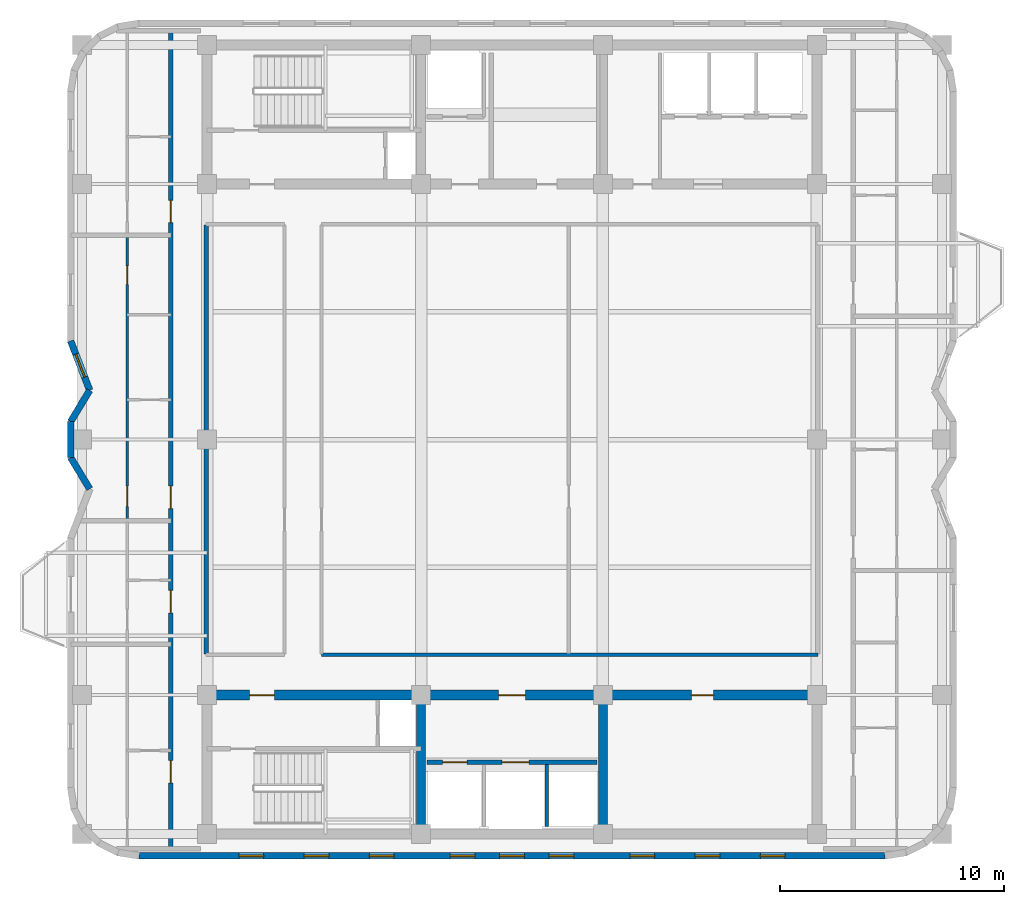
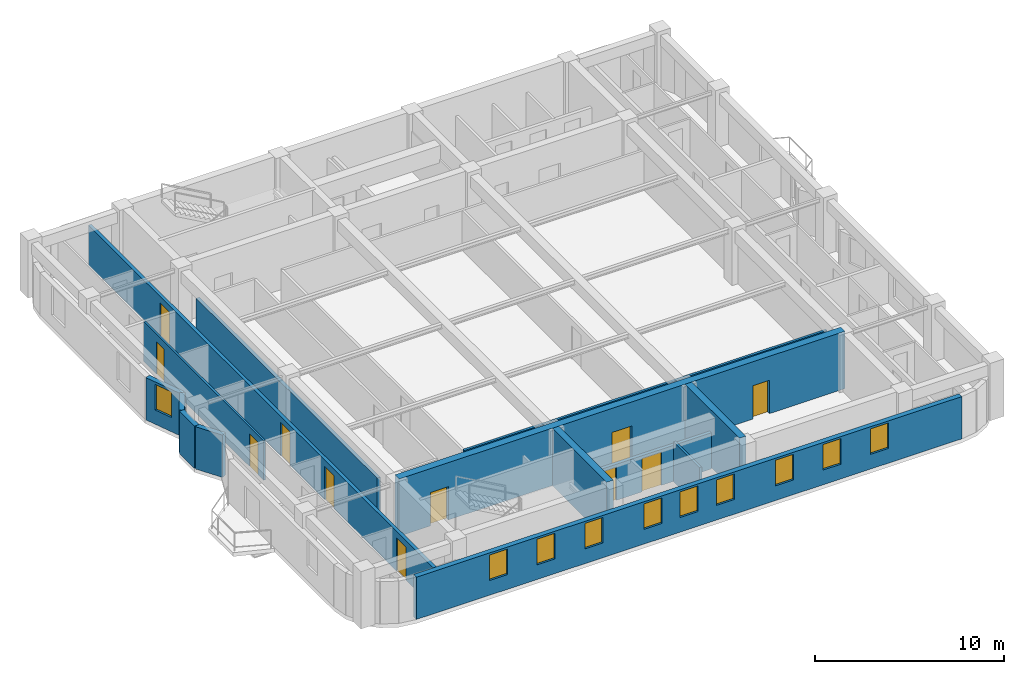
# One storey, part 3 of 8: 14 walls, 11 doors, 10 windows, 21 openings.
"""IFC4 building model written with IfcOpenShell, lengths in metres."""

import ifcopenshell
import ifcopenshell.guid

model = None  # the IFC model being written
_history = None  # IfcOwnerHistory: only IFC2X3 demands one
_inside = {}  # id of a spatial element -> (the spatial element, [elements in it])
_under = {}  # id of a project, library or spatial element -> (it, [spatial elements below it])
_declared = {}  # id of a project -> (the project, [libraries it declares])
_typed = {}  # id of a type object -> (the type object, [elements of that type])
_made_of = {}  # id of a material, layer set ... -> (it, [elements and type objects made of it])


def new_model(schema):
    """Start an empty IFC model of exactly this schema.

    Asked for "IFC4X3", IfcOpenShell would pick the latest addendum, in which some entities
    have other attributes; the version numbers below select the first issue.
    IFC2X3 requires an IfcOwnerHistory on every rooted entity: one is made here for all.
    """
    global model, _history
    if schema == "IFC4X3":
        model = ifcopenshell.file(schema_version=(4, 3, 0, 0))
    else:
        model = ifcopenshell.file(schema=schema)
    _inside.clear()
    _under.clear()
    _declared.clear()
    _typed.clear()
    _made_of.clear()
    _history = None
    if model.schema == "IFC2X3":
        org = make("IfcOrganization", Name="unknown")
        user = make(
            "IfcPersonAndOrganization",
            ThePerson=make("IfcPerson", FamilyName="unknown"),
            TheOrganization=org,
        )
        app = make(
            "IfcApplication",
            ApplicationDeveloper=org,
            Version="unknown",
            ApplicationFullName="unknown",
            ApplicationIdentifier="unknown",
        )
        _history = make(
            "IfcOwnerHistory",
            OwningUser=user,
            OwningApplication=app,
            ChangeAction="ADDED",
            CreationDate=0,
        )
    return model


def make(cls, **values):
    """One entity of the class cls with the attributes given. An attribute that is None is left unset."""
    return model.create_entity(
        cls, **{name: value for name, value in values.items() if value is not None}
    )


def rooted(cls, **values):
    """An entity with a GlobalId (a new one), such as an element, a storey or a relation."""
    return make(cls, GlobalId=ifcopenshell.guid.new(), OwnerHistory=_history, **values)


def si_unit(unit_type, name, prefix=None):
    """IfcSIUnit, for example si_unit("LENGTHUNIT", "METRE", prefix="MILLI")."""
    return make("IfcSIUnit", UnitType=unit_type, Prefix=prefix, Name=name)


def assignment(units):
    """IfcUnitAssignment: the units of a project."""
    return None if units is None else make("IfcUnitAssignment", Units=units)


def point(xyz):
    """IfcCartesianPoint."""
    return None if xyz is None else make("IfcCartesianPoint", Coordinates=xyz)


def direction(xyz):
    """IfcDirection."""
    return None if xyz is None else make("IfcDirection", DirectionRatios=xyz)


def frame(location, z_axis=None, x_axis=None):
    """IfcAxis2Placement3D, a coordinate frame: its origin and axes. An axis left out is left unset."""
    return make(
        "IfcAxis2Placement3D",
        Location=point(location),
        Axis=direction(z_axis),
        RefDirection=direction(x_axis),
    )


def frame_2d(location, x_axis=None):
    """IfcAxis2Placement2D, a coordinate frame in the plane: its origin and x axis."""
    return make(
        "IfcAxis2Placement2D", Location=point(location), RefDirection=direction(x_axis)
    )


def origin():
    """The frame at (0, 0, 0) with its axes left unset."""
    return frame((0.0, 0.0, 0.0))


def place(relative_to, where):
    """IfcLocalPlacement: puts the frame where relative to a parent placement (None: the world)."""
    return make(
        "IfcLocalPlacement", PlacementRelTo=relative_to, RelativePlacement=where
    )


def context(
    kind, dimensions, precision=None, world=None, true_north=None, identifier=None
):
    """IfcGeometricRepresentationContext, for example the 3D "Model" context."""
    return make(
        "IfcGeometricRepresentationContext",
        ContextIdentifier=identifier,
        ContextType=kind,
        CoordinateSpaceDimension=dimensions,
        Precision=precision,
        WorldCoordinateSystem=world,
        TrueNorth=true_north,
    )


def subcontext(parent, identifier, kind, view, scale=None):
    """IfcGeometricRepresentationSubContext, for example "Body" below "Model"."""
    return make(
        "IfcGeometricRepresentationSubContext",
        ContextIdentifier=identifier,
        ContextType=kind,
        ParentContext=parent,
        TargetScale=scale,
        TargetView=view,
    )


def project(units=None, contexts=None):
    """IfcProject with its units and contexts."""
    return rooted(
        "IfcProject",
        Name="project",
        RepresentationContexts=contexts,
        UnitsInContext=assignment(units),
    )


def spatial(cls, under=None, at=None, **own):
    """A site, building, storey or space (cls), placed at a placement, below another one or the project."""
    s = rooted(cls, ObjectPlacement=at, **own)
    if under is not None:
        _under.setdefault(under.id(), (under, []))[1].append(s)
    return s


def profile(cls, at=None, kind="AREA", **sizes):
    """A parametric profile (cls). Its sizes go by their IFC names, for example OverallWidth=200.0."""
    return make(cls, ProfileType=kind, Position=at, **sizes)


def rectangle(**sizes):
    """IfcRectangleProfileDef."""
    return profile("IfcRectangleProfileDef", **sizes)


def extrude(swept, where, along, depth):
    """IfcExtrudedAreaSolid: the profile swept, set in the frame where, extruded along a direction by depth."""
    return make(
        "IfcExtrudedAreaSolid",
        SweptArea=swept,
        Position=where,
        ExtrudedDirection=direction(along),
        Depth=depth,
    )


def shape(context_of_items, identifier, shape_type, items):
    """IfcShapeRepresentation: the items that make up one representation, for example the "Body"."""
    return make(
        "IfcShapeRepresentation",
        ContextOfItems=context_of_items,
        RepresentationIdentifier=identifier,
        RepresentationType=shape_type,
        Items=items,
    )


def material(Name=None, Category=None):
    """IfcMaterial."""
    return make("IfcMaterial", Name=Name, Category=Category)


def layer(
    of_material, thickness, ventilated=None, Name=None, Category=None, Priority=None
):
    """IfcMaterialLayer: one layer of a wall or slab, of a material (None: an air gap)."""
    return make(
        "IfcMaterialLayer",
        Material=of_material,
        LayerThickness=thickness,
        IsVentilated=ventilated,
        Name=Name,
        Category=Category,
        Priority=Priority,
    )


def layer_set(layers, Name=None):
    """IfcMaterialLayerSet."""
    return make("IfcMaterialLayerSet", MaterialLayers=layers, LayerSetName=Name)


def made_of(thing, what):
    """Note that an element or type object is made of a material, layer set ...; save() writes the relation."""
    if what is not None:
        _made_of.setdefault(what.id(), (what, []))[1].append(thing)
    return thing


def type_object(cls, material=None, **own):
    """A type object (cls), such as IfcWallType, which elements share."""
    return made_of(rooted(cls, **own), material)


def element(
    cls,
    number,
    at=None,
    inside=None,
    cuts=None,
    type_object=None,
    material=None,
    context=None,
    identifier="Body",
    shape_type=None,
    held_by="IfcProductDefinitionShape",
    body=None,
    shapes=None,
    **own,
):
    """One element of the class cls, such as IfcWall. Its Tag is "e" and its number.

    at: its placement. inside: the storey or other place that contains it. cuts: it is an
    opening in that element (IfcRelVoidsElement). A single representation is given by context,
    identifier, shape_type and body (its items); several are given by shapes. held_by: the class
    of the entity that holds the representations. save() writes the other relations.
    """
    e = rooted(cls, Tag="e%d" % number, ObjectPlacement=at, **own)
    if body is not None:
        shapes = [shape(context, identifier, shape_type, body)]
    if shapes is not None:
        e.Representation = make(held_by, Representations=shapes)
    if inside is not None:
        _inside.setdefault(inside.id(), (inside, []))[1].append(e)
    if cuts is not None:
        rooted(
            "IfcRelVoidsElement", RelatingBuildingElement=cuts, RelatedOpeningElement=e
        )
    if type_object is not None:
        _typed.setdefault(type_object.id(), (type_object, []))[1].append(e)
    return made_of(e, material)


def fill(opening, filler):
    """IfcRelFillsElement: the door or window that sits in an opening."""
    return rooted(
        "IfcRelFillsElement",
        RelatingOpeningElement=opening,
        RelatedBuildingElement=filler,
    )


def aggregate(whole, parts):
    """IfcRelAggregates: a whole, such as a stair, and the parts it consists of."""
    return rooted("IfcRelAggregates", RelatingObject=whole, RelatedObjects=parts)


def save(model, path):
    """Write the relations noted so far, then the file.

    IfcRelAggregates (storeys below a building ...), IfcRelContainedInSpatialStructure (elements
    in a storey), IfcRelDefinesByType, IfcRelAssociatesMaterial and IfcRelDeclares: one each for
    every whole, place, type object, material and project.
    """
    for whole, parts in _under.values():
        aggregate(whole, parts)
    for where, things in _inside.values():
        rooted(
            "IfcRelContainedInSpatialStructure",
            RelatedElements=things,
            RelatingStructure=where,
        )
    for kind, things in _typed.values():
        rooted("IfcRelDefinesByType", RelatedObjects=things, RelatingType=kind)
    for what, things in _made_of.values():
        rooted("IfcRelAssociatesMaterial", RelatedObjects=things, RelatingMaterial=what)
    for by, libraries in _declared.values():
        rooted("IfcRelDeclares", RelatingContext=by, RelatedDefinitions=libraries)
    model.write(path)


model = new_model("IFC4")

# Units and contexts
model_context = context("Model", 3, precision=1e-05, world=origin(), true_north=direction((0.0, 1.0)))
body_context = subcontext(model_context, "Body", "Model", "MODEL_VIEW")
ifc_project = project(units=[si_unit("LENGTHUNIT", "METRE"), si_unit("AREAUNIT", "SQUARE_METRE"), si_unit("VOLUMEUNIT", "CUBIC_METRE"), si_unit("PLANEANGLEUNIT", "RADIAN"), si_unit("MASSUNIT", "GRAM", prefix="KILO")], contexts=[model_context])

# Site, building, storey
site_placement = place(None, origin())
site = spatial("IfcSite", under=ifc_project, at=site_placement, CompositionType="ELEMENT")
building_placement = place(site_placement, origin())
building = spatial("IfcBuilding", under=site, at=building_placement, Name="Svetorya Sky Lyceum", CompositionType="ELEMENT")
storey_placement = place(building_placement, frame((0.0, 0.0, 233.199951171875)))
storey = spatial("IfcBuildingStorey", under=building, at=storey_placement, Name="L58", CompositionType="ELEMENT", Elevation=233.199951171875)

# Walls
ifc_material_1 = material(Name="Concrete C40/50", Category="concrete")
ifc_layer_1 = layer(ifc_material_1, 0.39990234375)
ifc_layer_set_1 = layer_set([ifc_layer_1], Name="Concrete C40/50")
wall_type_1 = type_object("IfcWallType", Name="WL-CORE-400", PredefinedType="SHEAR", material=ifc_layer_set_1)
for number, where, z_axis, x_axis, name in (
    (1, (35.14990234375, 10.824951171875, 0.0), (0.0, 0.0, 1.0), (0.0, 1.0, 0.0), "L58 SC Internal Shear Web WEB1"),
    (2, (43.25, 10.824951171875, 0.0), (0.0, 0.0, 1.0), (0.0, 1.0, 0.0), "L58 SC Internal Shear Web WEB2"),
):
    element("IfcWall", number, at=place(storey_placement, frame(where, z_axis=z_axis, x_axis=x_axis)), inside=storey, type_object=wall_type_1, Name=name, PredefinedType="SHEAR", context=body_context, shape_type="SweptSolid", body=[
        extrude(rectangle(XDim=5.75, YDim=0.39990234375, at=frame_2d((2.875, 0.0))), origin(), (0.0, 0.0, 1.0), 3.699951171875),
    ])

# Wall, openings, doors
ifc_material_2 = material(Name="Concrete C50/60", Category="concrete")
ifc_layer_2 = layer(ifc_material_2, 0.449951171875)
ifc_layer_set_2 = layer_set([ifc_layer_2], Name="Concrete C50/60")
wall_type_2 = type_object("IfcWallType", Name="WL-CORE-450", PredefinedType="SHEAR", material=ifc_layer_set_2)
wall_1_placement = place(storey_placement, frame((25.60009765625, 16.800048828125, 0.0), z_axis=(0.0, 0.0, 1.0), x_axis=(1.0, 0.0, 0.0)))
wall_1 = element("IfcWall", 3, at=wall_1_placement, inside=storey, type_object=wall_type_2, Name="L58 SC Inner Core Shear Wall", PredefinedType="SHEAR", context=body_context, shape_type="SweptSolid", body=[
    extrude(rectangle(XDim=27.199951171875, YDim=0.449951171875, at=frame_2d((13.60009765625, 0.0))), origin(), (0.0, 0.0, 1.0), 3.699951171875),
])
opening_1_placement = place(wall_1_placement, frame((1.89990234375, 0.0, 0.0)))
opening_1 = element("IfcOpeningElement", 4, at=opening_1_placement, cuts=wall_1, Name="Opening D-ST1", PredefinedType="OPENING", context=body_context, shape_type="SweptSolid", body=[
    extrude(rectangle(XDim=1.10009765625, YDim=2.14990234375, at=frame_2d((0.550048828125, 1.074951171875))), frame((0.0, 0.23486328125, 0.0), z_axis=(0.0, -1.0, 0.0), x_axis=(1.0, 0.0, 0.0)), (0.0, 0.0, 1.0), 0.469970703125),
])
opening_2_placement = place(wall_1_placement, frame((13.0, 0.0, 0.0)))
opening_2 = element("IfcOpeningElement", 5, at=opening_2_placement, cuts=wall_1, Name="Opening D-FL1", PredefinedType="OPENING", context=body_context, shape_type="SweptSolid", body=[
    extrude(rectangle(XDim=1.199951171875, YDim=2.14990234375, at=frame_2d((0.60009765625, 1.074951171875))), frame((0.0, 0.23486328125, 0.0), z_axis=(0.0, -1.0, 0.0), x_axis=(1.0, 0.0, 0.0)), (0.0, 0.0, 1.0), 0.469970703125),
])
opening_3_placement = place(wall_1_placement, frame((21.60009765625, 0.0, 0.0)))
opening_3 = element("IfcOpeningElement", 6, at=opening_3_placement, cuts=wall_1, Name="Opening D-RM2", PredefinedType="OPENING", context=body_context, shape_type="SweptSolid", body=[
    extrude(rectangle(XDim=1.0, YDim=2.14990234375, at=frame_2d((0.5, 1.074951171875))), frame((0.0, 0.23486328125, 0.0), z_axis=(0.0, -1.0, 0.0), x_axis=(1.0, 0.0, 0.0)), (0.0, 0.0, 1.0), 0.469970703125),
])
ifc_material_3 = material(Name="Powder-coated insulated galvanized stair fire door")
door_type_1 = type_object("IfcDoorType", Name="DR-FIRE-1100", OperationType="SINGLE_SWING_LEFT", PredefinedType="DOOR", material=ifc_material_3)
door_1_placement = place(opening_1_placement, origin())
door_1 = element("IfcDoor", 7, at=door_1_placement, inside=storey, type_object=door_type_1, Name="L58 South Stair Airlock Door", OperationType="SINGLE_SWING_RIGHT", OverallHeight=2.14990234375, OverallWidth=1.10009765625, PredefinedType="DOOR", context=body_context, shape_type="SweptSolid", body=[
    extrude(rectangle(XDim=1.10009765625, YDim=2.14990234375, at=frame_2d((0.550048828125, 1.074951171875))), frame((0.0, 0.02490234375, 0.0), z_axis=(0.0, -1.0, 0.0), x_axis=(1.0, 0.0, 0.0)), (0.0, 0.0, 1.0), 0.050048828125),
])
fill(opening_1, door_1)
ifc_material_4 = material(Name="Powder-coated insulated galvanized fire door")
door_type_2 = type_object("IfcDoorType", Name="DR-FIRE-1200", OperationType="SINGLE_SWING_LEFT", PredefinedType="DOOR", material=ifc_material_4)
door_2_placement = place(opening_2_placement, origin())
door_2 = element("IfcDoor", 8, at=door_2_placement, inside=storey, type_object=door_type_2, Name="L58 South Firefighting Lift Lobby Door", OperationType="SINGLE_SWING_LEFT", OverallHeight=2.14990234375, OverallWidth=1.199951171875, PredefinedType="DOOR", context=body_context, shape_type="SweptSolid", body=[
    extrude(rectangle(XDim=1.199951171875, YDim=2.14990234375, at=frame_2d((0.60009765625, 1.074951171875))), frame((0.0, 0.02490234375, 0.0), z_axis=(0.0, -1.0, 0.0), x_axis=(1.0, 0.0, 0.0)), (0.0, 0.0, 1.0), 0.050048828125),
])
fill(opening_2, door_2)
ifc_material_5 = material(Name="Solid-core oak acoustic room door")
door_type_3 = type_object("IfcDoorType", Name="DR-INT-1000", OperationType="SINGLE_SWING_LEFT", PredefinedType="DOOR", material=ifc_material_5)
door_3_placement = place(opening_3_placement, origin())
door_3 = element("IfcDoor", 9, at=door_3_placement, inside=storey, type_object=door_type_3, Name="L58 Trunk Store Door", OperationType="SINGLE_SWING_LEFT", OverallHeight=2.14990234375, OverallWidth=1.0, PredefinedType="DOOR", context=body_context, shape_type="SweptSolid", body=[
    extrude(rectangle(XDim=1.0, YDim=2.14990234375, at=frame_2d((0.5, 1.074951171875))), frame((0.0, 0.02490234375, 0.0), z_axis=(0.0, -1.0, 0.0), x_axis=(1.0, 0.0, 0.0)), (0.0, 0.0, 1.0), 0.050048828125),
])
fill(opening_3, door_3)

# Wall, openings, windows
ifc_material_6 = material(Name="Putilovo limestone rainscreen on autoclaved cellular masonry", Category="masonry")
ifc_layer_3 = layer(ifc_material_6, 0.300048828125)
ifc_layer_set_3 = layer_set([ifc_layer_3], Name="Putilovo limestone rainscreen on autoclaved cellular masonry")
wall_type_3 = type_object("IfcWallType", Name="WL-EXT-300", PredefinedType="SOLIDWALL", material=ifc_layer_set_3)
wall_2_placement = place(storey_placement, frame((22.56005859375, 9.6298828125, 0.0), z_axis=(0.0, 0.0, 1.0), x_axis=(1.0, 0.0, 0.0)))
wall_2 = element("IfcWall", 10, at=wall_2_placement, inside=storey, type_object=wall_type_3, Name="L58 Limestone Exterior Wall 6M", PredefinedType="SOLIDWALL", context=body_context, shape_type="SweptSolid", body=[
    extrude(rectangle(XDim=33.280029296875, YDim=0.300048828125, at=frame_2d((16.64013671875, 0.0))), origin(), (0.0, 0.0, 1.0), 2.72998046875),
])
opening_4_placement = place(wall_2_placement, frame((4.4609375, 0.0, 0.949951171875)))
opening_4 = element("IfcOpeningElement", 11, at=opening_4_placement, cuts=wall_2, Name="Opening W-R3", PredefinedType="OPENING", context=body_context, shape_type="SweptSolid", body=[
    extrude(rectangle(XDim=1.10009765625, YDim=1.64990234375, at=frame_2d((0.550048828125, 0.824951171875))), frame((0.0, 0.159912109375, 0.0), z_axis=(0.0, -1.0, 0.0), x_axis=(1.0, 0.0, 0.0)), (0.0, 0.0, 1.0), 0.320068359375),
])
opening_5_placement = place(wall_2_placement, frame((7.3681640625, 0.0, 0.949951171875)))
opening_5 = element("IfcOpeningElement", 12, at=opening_5_placement, cuts=wall_2, Name="Opening W-R3", PredefinedType="OPENING", context=body_context, shape_type="SweptSolid", body=[
    extrude(rectangle(XDim=1.10009765625, YDim=1.64990234375, at=frame_2d((0.550048828125, 0.824951171875))), frame((0.0, 0.159912109375, 0.0), z_axis=(0.0, -1.0, 0.0), x_axis=(1.0, 0.0, 0.0)), (0.0, 0.0, 1.0), 0.320068359375),
])
opening_6_placement = place(wall_2_placement, frame((10.275390625, 0.0, 0.949951171875)))
opening_6 = element("IfcOpeningElement", 13, at=opening_6_placement, cuts=wall_2, Name="Opening W-R3", PredefinedType="OPENING", context=body_context, shape_type="SweptSolid", body=[
    extrude(rectangle(XDim=1.10009765625, YDim=1.64990234375, at=frame_2d((0.550048828125, 0.824951171875))), frame((0.0, 0.159912109375, 0.0), z_axis=(0.0, -1.0, 0.0), x_axis=(1.0, 0.0, 0.0)), (0.0, 0.0, 1.0), 0.320068359375),
])
opening_7_placement = place(wall_2_placement, frame((13.8828125, 0.0, 0.949951171875)))
opening_7 = element("IfcOpeningElement", 14, at=opening_7_placement, cuts=wall_2, Name="Opening W-R3", PredefinedType="OPENING", context=body_context, shape_type="SweptSolid", body=[
    extrude(rectangle(XDim=1.10009765625, YDim=1.64990234375, at=frame_2d((0.550048828125, 0.824951171875))), frame((0.0, 0.159912109375, 0.0), z_axis=(0.0, -1.0, 0.0), x_axis=(1.0, 0.0, 0.0)), (0.0, 0.0, 1.0), 0.320068359375),
])
opening_8_placement = place(wall_2_placement, frame((16.090087890625, 0.0, 0.949951171875)))
opening_8 = element("IfcOpeningElement", 15, at=opening_8_placement, cuts=wall_2, Name="Opening W-R3", PredefinedType="OPENING", context=body_context, shape_type="SweptSolid", body=[
    extrude(rectangle(XDim=1.10009765625, YDim=1.64990234375, at=frame_2d((0.550048828125, 0.824951171875))), frame((0.0, 0.159912109375, 0.0), z_axis=(0.0, -1.0, 0.0), x_axis=(1.0, 0.0, 0.0)), (0.0, 0.0, 1.0), 0.320068359375),
])
opening_9_placement = place(wall_2_placement, frame((18.29736328125, 0.0, 0.949951171875)))
opening_9 = element("IfcOpeningElement", 16, at=opening_9_placement, cuts=wall_2, Name="Opening W-R3", PredefinedType="OPENING", context=body_context, shape_type="SweptSolid", body=[
    extrude(rectangle(XDim=1.10009765625, YDim=1.64990234375, at=frame_2d((0.550048828125, 0.824951171875))), frame((0.0, 0.159912109375, 0.0), z_axis=(0.0, -1.0, 0.0), x_axis=(1.0, 0.0, 0.0)), (0.0, 0.0, 1.0), 0.320068359375),
])
opening_10_placement = place(wall_2_placement, frame((21.904541015625, 0.0, 0.949951171875)))
opening_10 = element("IfcOpeningElement", 17, at=opening_10_placement, cuts=wall_2, Name="Opening W-R3", PredefinedType="OPENING", context=body_context, shape_type="SweptSolid", body=[
    extrude(rectangle(XDim=1.10009765625, YDim=1.64990234375, at=frame_2d((0.550048828125, 0.824951171875))), frame((0.0, 0.159912109375, 0.0), z_axis=(0.0, -1.0, 0.0), x_axis=(1.0, 0.0, 0.0)), (0.0, 0.0, 1.0), 0.320068359375),
])
opening_11_placement = place(wall_2_placement, frame((24.811767578125, 0.0, 0.949951171875)))
opening_11 = element("IfcOpeningElement", 18, at=opening_11_placement, cuts=wall_2, Name="Opening W-R3", PredefinedType="OPENING", context=body_context, shape_type="SweptSolid", body=[
    extrude(rectangle(XDim=1.10009765625, YDim=1.64990234375, at=frame_2d((0.550048828125, 0.824951171875))), frame((0.0, 0.159912109375, 0.0), z_axis=(0.0, -1.0, 0.0), x_axis=(1.0, 0.0, 0.0)), (0.0, 0.0, 1.0), 0.320068359375),
])
opening_12_placement = place(wall_2_placement, frame((27.718994140625, 0.0, 0.949951171875)))
opening_12 = element("IfcOpeningElement", 19, at=opening_12_placement, cuts=wall_2, Name="Opening W-R3", PredefinedType="OPENING", context=body_context, shape_type="SweptSolid", body=[
    extrude(rectangle(XDim=1.10009765625, YDim=1.64990234375, at=frame_2d((0.550048828125, 0.824951171875))), frame((0.0, 0.159912109375, 0.0), z_axis=(0.0, -1.0, 0.0), x_axis=(1.0, 0.0, 0.0)), (0.0, 0.0, 1.0), 0.320068359375),
])
ifc_material_7 = material(Name="Thermally broken aluminium frame with triple low-E glazing", Category="aluminium")
window_type = type_object("IfcWindowType", Name="WN-RES-110", PartitioningType="SINGLE_PANEL", PredefinedType="WINDOW", material=ifc_material_7)
window_1_placement = place(opening_4_placement, origin())
window_1 = element("IfcWindow", 20, at=window_1_placement, inside=storey, type_object=window_type, Name="L58 Facade Window W-R3.6M.1", OverallHeight=1.64990234375, OverallWidth=1.10009765625, PartitioningType="SINGLE_PANEL", PredefinedType="WINDOW", context=body_context, shape_type="SweptSolid", body=[
    extrude(rectangle(XDim=1.10009765625, YDim=1.64990234375, at=frame_2d((0.550048828125, 0.824951171875))), frame((0.0, 0.030029296875, 0.0), z_axis=(0.0, -1.0, 0.0), x_axis=(1.0, 0.0, 0.0)), (0.0, 0.0, 1.0), 0.06005859375),
])
fill(opening_4, window_1)
window_2_placement = place(opening_5_placement, origin())
window_2 = element("IfcWindow", 21, at=window_2_placement, inside=storey, type_object=window_type, Name="L58 Facade Window W-R3.6M.2", OverallHeight=1.64990234375, OverallWidth=1.10009765625, PartitioningType="SINGLE_PANEL", PredefinedType="WINDOW", context=body_context, shape_type="SweptSolid", body=[
    extrude(rectangle(XDim=1.10009765625, YDim=1.64990234375, at=frame_2d((0.550048828125, 0.824951171875))), frame((0.0, 0.030029296875, 0.0), z_axis=(0.0, -1.0, 0.0), x_axis=(1.0, 0.0, 0.0)), (0.0, 0.0, 1.0), 0.06005859375),
])
fill(opening_5, window_2)
window_3_placement = place(opening_6_placement, origin())
window_3 = element("IfcWindow", 22, at=window_3_placement, inside=storey, type_object=window_type, Name="L58 Facade Window W-R3.6M.3", OverallHeight=1.64990234375, OverallWidth=1.10009765625, PartitioningType="SINGLE_PANEL", PredefinedType="WINDOW", context=body_context, shape_type="SweptSolid", body=[
    extrude(rectangle(XDim=1.10009765625, YDim=1.64990234375, at=frame_2d((0.550048828125, 0.824951171875))), frame((0.0, 0.030029296875, 0.0), z_axis=(0.0, -1.0, 0.0), x_axis=(1.0, 0.0, 0.0)), (0.0, 0.0, 1.0), 0.06005859375),
])
fill(opening_6, window_3)
window_4_placement = place(opening_7_placement, origin())
window_4 = element("IfcWindow", 23, at=window_4_placement, inside=storey, type_object=window_type, Name="L58 Facade Window W-R3.6M.4", OverallHeight=1.64990234375, OverallWidth=1.10009765625, PartitioningType="SINGLE_PANEL", PredefinedType="WINDOW", context=body_context, shape_type="SweptSolid", body=[
    extrude(rectangle(XDim=1.10009765625, YDim=1.64990234375, at=frame_2d((0.550048828125, 0.824951171875))), frame((0.0, 0.030029296875, 0.0), z_axis=(0.0, -1.0, 0.0), x_axis=(1.0, 0.0, 0.0)), (0.0, 0.0, 1.0), 0.06005859375),
])
fill(opening_7, window_4)
window_5_placement = place(opening_8_placement, origin())
window_5 = element("IfcWindow", 24, at=window_5_placement, inside=storey, type_object=window_type, Name="L58 Facade Window W-R3.6M.5", OverallHeight=1.64990234375, OverallWidth=1.10009765625, PartitioningType="SINGLE_PANEL", PredefinedType="WINDOW", context=body_context, shape_type="SweptSolid", body=[
    extrude(rectangle(XDim=1.10009765625, YDim=1.64990234375, at=frame_2d((0.550048828125, 0.824951171875))), frame((0.0, 0.030029296875, 0.0), z_axis=(0.0, -1.0, 0.0), x_axis=(1.0, 0.0, 0.0)), (0.0, 0.0, 1.0), 0.06005859375),
])
fill(opening_8, window_5)
window_6_placement = place(opening_9_placement, origin())
window_6 = element("IfcWindow", 25, at=window_6_placement, inside=storey, type_object=window_type, Name="L58 Facade Window W-R3.6M.6", OverallHeight=1.64990234375, OverallWidth=1.10009765625, PartitioningType="SINGLE_PANEL", PredefinedType="WINDOW", context=body_context, shape_type="SweptSolid", body=[
    extrude(rectangle(XDim=1.10009765625, YDim=1.64990234375, at=frame_2d((0.550048828125, 0.824951171875))), frame((0.0, 0.030029296875, 0.0), z_axis=(0.0, -1.0, 0.0), x_axis=(1.0, 0.0, 0.0)), (0.0, 0.0, 1.0), 0.06005859375),
])
fill(opening_9, window_6)
window_7_placement = place(opening_10_placement, origin())
window_7 = element("IfcWindow", 26, at=window_7_placement, inside=storey, type_object=window_type, Name="L58 Facade Window W-R3.6M.7", OverallHeight=1.64990234375, OverallWidth=1.10009765625, PartitioningType="SINGLE_PANEL", PredefinedType="WINDOW", context=body_context, shape_type="SweptSolid", body=[
    extrude(rectangle(XDim=1.10009765625, YDim=1.64990234375, at=frame_2d((0.550048828125, 0.824951171875))), frame((0.0, 0.030029296875, 0.0), z_axis=(0.0, -1.0, 0.0), x_axis=(1.0, 0.0, 0.0)), (0.0, 0.0, 1.0), 0.06005859375),
])
fill(opening_10, window_7)
window_8_placement = place(opening_11_placement, origin())
window_8 = element("IfcWindow", 27, at=window_8_placement, inside=storey, type_object=window_type, Name="L58 Facade Window W-R3.6M.8", OverallHeight=1.64990234375, OverallWidth=1.10009765625, PartitioningType="SINGLE_PANEL", PredefinedType="WINDOW", context=body_context, shape_type="SweptSolid", body=[
    extrude(rectangle(XDim=1.10009765625, YDim=1.64990234375, at=frame_2d((0.550048828125, 0.824951171875))), frame((0.0, 0.030029296875, 0.0), z_axis=(0.0, -1.0, 0.0), x_axis=(1.0, 0.0, 0.0)), (0.0, 0.0, 1.0), 0.06005859375),
])
fill(opening_11, window_8)
window_9_placement = place(opening_12_placement, origin())
window_9 = element("IfcWindow", 28, at=window_9_placement, inside=storey, type_object=window_type, Name="L58 Facade Window W-R3.6M.9", OverallHeight=1.64990234375, OverallWidth=1.10009765625, PartitioningType="SINGLE_PANEL", PredefinedType="WINDOW", context=body_context, shape_type="SweptSolid", body=[
    extrude(rectangle(XDim=1.10009765625, YDim=1.64990234375, at=frame_2d((0.550048828125, 0.824951171875))), frame((0.0, 0.030029296875, 0.0), z_axis=(0.0, -1.0, 0.0), x_axis=(1.0, 0.0, 0.0)), (0.0, 0.0, 1.0), 0.06005859375),
])
fill(opening_12, window_9)

# Wall, opening, window
wall_3_placement = place(storey_placement, frame((19.510009765625, 32.60009765625, 0.0), z_axis=(0.0, 0.0, 1.0), x_axis=(0.36040746662, -0.932794971044, 0.0)))
wall_3 = element("IfcWall", 29, at=wall_3_placement, inside=storey, type_object=wall_type_3, Name="L58 Limestone Exterior Wall 31M", PredefinedType="SOLIDWALL", context=body_context, shape_type="SweptSolid", body=[
    extrude(rectangle(XDim=2.358642578125, YDim=0.300048828125, at=frame_2d((1.17919921875, 0.0))), origin(), (0.0, 0.0, 1.0), 2.72998046875),
])
opening_13_placement = place(wall_3_placement, frame((0.629150390625, 0.0, 0.919921875)))
opening_13 = element("IfcOpeningElement", 30, at=opening_13_placement, cuts=wall_3, Name="Opening W-R3", PredefinedType="OPENING", context=body_context, shape_type="SweptSolid", body=[
    extrude(rectangle(XDim=1.10009765625, YDim=1.64990234375, at=frame_2d((0.550048828125, 0.824951171875))), frame((0.0, 0.159912109375, 0.0), z_axis=(0.0, -1.0, 0.0), x_axis=(1.0, 0.0, 0.0)), (0.0, 0.0, 1.0), 0.320068359375),
])
window_10_placement = place(opening_13_placement, origin())
window_10 = element("IfcWindow", 31, at=window_10_placement, inside=storey, type_object=window_type, Name="L58 Facade Window W-R3.31M.1", OverallHeight=1.64990234375, OverallWidth=1.10009765625, PartitioningType="SINGLE_PANEL", PredefinedType="WINDOW", context=body_context, shape_type="SweptSolid", body=[
    extrude(rectangle(XDim=1.10009765625, YDim=1.64990234375, at=frame_2d((0.550048828125, 0.824951171875))), frame((0.0, 0.030029296875, 0.0), z_axis=(0.0, -1.0, 0.0), x_axis=(1.0, 0.0, 0.0)), (0.0, 0.0, 1.0), 0.06005859375),
])
fill(opening_13, window_10)

# Walls
wall_4_placement = place(storey_placement, frame((20.360107421875, 30.39990234375, 0.0), z_axis=(0.0, 0.0, 1.0), x_axis=(-0.5190481505, -0.854745001426, 0.0)))
element("IfcWall", 32, at=wall_4_placement, inside=storey, type_object=wall_type_3, Name="L58 Limestone Exterior Wall 32M", PredefinedType="SOLIDWALL", context=body_context, shape_type="SweptSolid", body=[
    extrude(rectangle(XDim=1.6376953125, YDim=0.300048828125, at=frame_2d((0.81884765625, 0.0))), origin(), (0.0, 0.0, 1.0), 2.72998046875),
])
wall_5_placement = place(storey_placement, frame((19.510009765625, 29.0, 0.0), z_axis=(0.0, 0.0, 1.0), x_axis=(0.0, -1.0, 0.0)))
element("IfcWall", 33, at=wall_5_placement, inside=storey, type_object=wall_type_3, Name="L58 Limestone Exterior Wall 33M", PredefinedType="SOLIDWALL", context=body_context, shape_type="SweptSolid", body=[
    extrude(rectangle(XDim=1.60009765625, YDim=0.300048828125, at=frame_2d((0.800048828125, 0.0))), origin(), (0.0, 0.0, 1.0), 2.72998046875),
])
wall_6_placement = place(storey_placement, frame((19.510009765625, 27.39990234375, 0.0), z_axis=(0.0, 0.0, 1.0), x_axis=(0.5190481505, -0.854745001426, 0.0)))
element("IfcWall", 34, at=wall_6_placement, inside=storey, type_object=wall_type_3, Name="L58 Limestone Exterior Wall 34M", PredefinedType="SOLIDWALL", context=body_context, shape_type="SweptSolid", body=[
    extrude(rectangle(XDim=1.6376953125, YDim=0.300048828125, at=frame_2d((0.81884765625, 0.0))), origin(), (0.0, 0.0, 1.0), 2.72998046875),
])

# Wall, openings, doors
ifc_material_8 = material(Name="Twin-stud galvanized framing with double fireboard", Category="gypsum")
ifc_layer_4 = layer(ifc_material_8, 0.1201171875)
ifc_layer_set_4 = layer_set([ifc_layer_4], Name="Twin-stud galvanized framing with double fireboard")
wall_type_4 = type_object("IfcWallType", Name="WL-PART-120", PredefinedType="PARTITIONING", material=ifc_layer_set_4)
wall_7_placement = place(storey_placement, frame((22.030029296875, 24.614990234375, 0.0), z_axis=(0.0, 0.0, 1.0), x_axis=(0.0, 1.0, 0.0)))
wall_7 = element("IfcWall", 35, at=wall_7_placement, inside=storey, type_object=wall_type_4, Name="L58 Interior Partition W3-WV", PredefinedType="PARTITIONING", context=body_context, shape_type="SweptSolid", body=[
    extrude(rectangle(XDim=12.669921875, YDim=0.1201171875, at=frame_2d((6.3349609375, 0.0))), origin(), (0.0, 0.0, 1.0), 2.56005859375),
])
opening_14_placement = place(wall_7_placement, frame((0.610107421875, 0.0, 0.0)))
opening_14 = element("IfcOpeningElement", 36, at=opening_14_placement, cuts=wall_7, Name="Opening D-RM1", PredefinedType="OPENING", context=body_context, shape_type="SweptSolid", body=[
    extrude(rectangle(XDim=0.89990234375, YDim=2.10009765625, at=frame_2d((0.449951171875, 1.050048828125))), frame((0.0, 0.070068359375, 0.0), z_axis=(0.0, -1.0, 0.0), x_axis=(1.0, 0.0, 0.0)), (0.0, 0.0, 1.0), 0.14013671875),
])
opening_15_placement = place(wall_7_placement, frame((10.510009765625, 0.0, 0.0)))
opening_15 = element("IfcOpeningElement", 37, at=opening_15_placement, cuts=wall_7, Name="Opening D-BT2", PredefinedType="OPENING", context=body_context, shape_type="SweptSolid", body=[
    extrude(rectangle(XDim=0.820068359375, YDim=2.080078125, at=frame_2d((0.41015625, 1.0400390625))), frame((0.0, 0.070068359375, 0.0), z_axis=(0.0, -1.0, 0.0), x_axis=(1.0, 0.0, 0.0)), (0.0, 0.0, 1.0), 0.14013671875),
])
ifc_material_9 = material(Name="Lacquered birch veneer internal door")
door_type_4 = type_object("IfcDoorType", Name="DR-INT-900", OperationType="SINGLE_SWING_LEFT", PredefinedType="DOOR", material=ifc_material_9)
door_4_placement = place(opening_14_placement, origin())
door_4 = element("IfcDoor", 38, at=door_4_placement, inside=storey, type_object=door_type_4, Name="Apartment W3 Living Door", OperationType="SINGLE_SWING_RIGHT", OverallHeight=2.10009765625, OverallWidth=0.89990234375, PredefinedType="DOOR", context=body_context, shape_type="SweptSolid", body=[
    extrude(rectangle(XDim=0.89990234375, YDim=2.10009765625, at=frame_2d((0.449951171875, 1.050048828125))), frame((0.0, 0.02490234375, 0.0), z_axis=(0.0, -1.0, 0.0), x_axis=(1.0, 0.0, 0.0)), (0.0, 0.0, 1.0), 0.050048828125),
])
fill(opening_14, door_4)
ifc_material_10 = material(Name="Compact moisture-resistant laminate closet door")
door_type_5 = type_object("IfcDoorType", Name="DR-WET-820", OperationType="SINGLE_SWING_LEFT", PredefinedType="DOOR", material=ifc_material_10)
door_5_placement = place(opening_15_placement, origin())
door_5 = element("IfcDoor", 39, at=door_5_placement, inside=storey, type_object=door_type_5, Name="Apartment W3 Study Door", OperationType="SINGLE_SWING_LEFT", OverallHeight=2.080078125, OverallWidth=0.820068359375, PredefinedType="DOOR", context=body_context, shape_type="SweptSolid", body=[
    extrude(rectangle(XDim=0.820068359375, YDim=2.080078125, at=frame_2d((0.41015625, 1.0400390625))), frame((0.0, 0.02490234375, 0.0), z_axis=(0.0, -1.0, 0.0), x_axis=(1.0, 0.0, 0.0)), (0.0, 0.0, 1.0), 0.050048828125),
])
fill(opening_15, door_5)

# Walls
ifc_material_11 = material(Name="Autoclaved cellular masonry blockwork with acoustic render", Category="masonry")
ifc_layer_5 = layer(ifc_material_11, 0.14990234375)
ifc_layer_set_5 = layer_set([ifc_layer_5], Name="Autoclaved cellular masonry blockwork with acoustic render")
wall_type_5 = type_object("IfcWallType", Name="WL-PART-150", PredefinedType="PARTITIONING", material=ifc_layer_set_5)
wall_8_placement = place(storey_placement, frame((40.75, 10.949951171875, 0.0), z_axis=(0.0, 0.0, 1.0), x_axis=(0.0, 1.0, 0.0)))
element("IfcWall", 40, at=wall_8_placement, inside=storey, type_object=wall_type_5, Name="L58 Interior Partition SC-SHD2", PredefinedType="PARTITIONING", context=body_context, shape_type="SweptSolid", body=[
    extrude(rectangle(XDim=2.75, YDim=0.14990234375, at=frame_2d((1.375, 0.0))), origin(), (0.0, 0.0, 1.0), 2.56005859375),
])
wall_9_placement = place(storey_placement, frame((30.699951171875, 18.60009765625, 0.0), z_axis=(0.0, 0.0, 1.0), x_axis=(1.0, 0.0, 0.0)))
element("IfcWall", 41, at=wall_9_placement, inside=storey, type_object=wall_type_5, Name="L58 Interior Partition OFF-CS-E", PredefinedType="PARTITIONING", context=body_context, shape_type="SweptSolid", body=[
    extrude(rectangle(XDim=22.150146484375, YDim=0.14990234375, at=frame_2d((11.0751953125, 0.0))), origin(), (0.0, 0.0, 1.0), 2.56005859375),
])

# Wall, openings, doors
ifc_material_12 = material(Name="Autoclaved cellular masonry blockwork with gypsum plaster", Category="masonry")
ifc_layer_6 = layer(ifc_material_12, 0.199951171875)
ifc_layer_set_6 = layer_set([ifc_layer_6], Name="Autoclaved cellular masonry blockwork with gypsum plaster")
wall_type_6 = type_object("IfcWallType", Name="WL-PART-200", PredefinedType="PARTITIONING", material=ifc_layer_set_6)
wall_10_placement = place(storey_placement, frame((35.39990234375, 13.800048828125, 0.0), z_axis=(0.0, 0.0, 1.0), x_axis=(1.0, 0.0, 0.0)))
wall_10 = element("IfcWall", 42, at=wall_10_placement, inside=storey, type_object=wall_type_6, Name="L58 Interior Partition SC-FLW", PredefinedType="PARTITIONING", context=body_context, shape_type="SweptSolid", body=[
    extrude(rectangle(XDim=7.60009765625, YDim=0.199951171875, at=frame_2d((3.800048828125, 0.0))), origin(), (0.0, 0.0, 1.0), 2.330078125),
])
opening_16_placement = place(wall_10_placement, frame((0.699951171875, 0.0, 0.0)))
opening_16 = element("IfcOpeningElement", 43, at=opening_16_placement, cuts=wall_10, Name="Opening LD-FL", PredefinedType="OPENING", context=body_context, shape_type="SweptSolid", body=[
    extrude(rectangle(XDim=1.10009765625, YDim=2.14990234375, at=frame_2d((0.550048828125, 1.074951171875))), frame((0.0, 0.10986328125, 0.0), z_axis=(0.0, -1.0, 0.0), x_axis=(1.0, 0.0, 0.0)), (0.0, 0.0, 1.0), 0.219970703125),
])
opening_17_placement = place(wall_10_placement, frame((3.35009765625, 0.0, 0.0)))
opening_17 = element("IfcOpeningElement", 44, at=opening_17_placement, cuts=wall_10, Name="Opening LD-SV", PredefinedType="OPENING", context=body_context, shape_type="SweptSolid", body=[
    extrude(rectangle(XDim=1.199951171875, YDim=2.14990234375, at=frame_2d((0.60009765625, 1.074951171875))), frame((0.0, 0.10986328125, 0.0), z_axis=(0.0, -1.0, 0.0), x_axis=(1.0, 0.0, 0.0)), (0.0, 0.0, 1.0), 0.219970703125),
])
ifc_material_13 = material(Name="Fire-rated stainless AISI 304 firefighting lift landing door")
door_type_6 = type_object("IfcDoorType", Name="DR-LIFT-1100", OperationType="SLIDING_TO_LEFT", PredefinedType="DOOR", material=ifc_material_13)
door_6_placement = place(opening_16_placement, origin())
door_6 = element("IfcDoor", 45, at=door_6_placement, inside=storey, type_object=door_type_6, Name="L58 Firefighting Lift FL2 Landing Door", OperationType="SLIDING_TO_LEFT", OverallHeight=2.14990234375, OverallWidth=1.10009765625, PredefinedType="DOOR", context=body_context, shape_type="SweptSolid", body=[
    extrude(rectangle(XDim=1.10009765625, YDim=2.14990234375, at=frame_2d((0.550048828125, 1.074951171875))), frame((0.0, 0.02490234375, 0.0), z_axis=(0.0, -1.0, 0.0), x_axis=(1.0, 0.0, 0.0)), (0.0, 0.0, 1.0), 0.050048828125),
])
fill(opening_16, door_6)
ifc_material_14 = material(Name="Brushed stainless AISI 304 telescopic lift landing door")
door_type_7 = type_object("IfcDoorType", Name="DR-LIFT-1200", OperationType="SLIDING_TO_LEFT", PredefinedType="DOOR", material=ifc_material_14)
door_7_placement = place(opening_17_placement, origin())
door_7 = element("IfcDoor", 46, at=door_7_placement, inside=storey, type_object=door_type_7, Name="L58 Service Lift SVL1 Landing Door", OperationType="SLIDING_TO_LEFT", OverallHeight=2.14990234375, OverallWidth=1.199951171875, PredefinedType="DOOR", context=body_context, shape_type="SweptSolid", body=[
    extrude(rectangle(XDim=1.199951171875, YDim=2.14990234375, at=frame_2d((0.60009765625, 1.074951171875))), frame((0.0, 0.02490234375, 0.0), z_axis=(0.0, -1.0, 0.0), x_axis=(1.0, 0.0, 0.0)), (0.0, 0.0, 1.0), 0.050048828125),
])
fill(opening_17, door_7)

# Wall
wall_11_placement = place(storey_placement, frame((25.550048828125, 18.6298828125, 0.0), z_axis=(0.0, 0.0, 1.0), x_axis=(0.0, 1.0, 0.0)))
element("IfcWall", 47, at=wall_11_placement, inside=storey, type_object=wall_type_6, Name="L58 Interior Partition W-CEN-SEP", PredefinedType="PARTITIONING", context=body_context, shape_type="SweptSolid", body=[
    extrude(rectangle(XDim=19.14013671875, YDim=0.199951171875, at=frame_2d((9.570068359375, 0.0))), origin(), (0.0, 0.0, 1.0), 2.56005859375),
])

# Wall, openings, doors
wall_12_placement = place(storey_placement, frame((23.97998046875, 9.949951171875, 0.0), z_axis=(0.0, 0.0, 1.0), x_axis=(0.0, 1.0, 0.0)))
wall_12 = element("IfcWall", 48, at=wall_12_placement, inside=storey, type_object=wall_type_6, Name="L58 Interior Partition W-CORRW", PredefinedType="PARTITIONING", context=body_context, shape_type="SweptSolid", body=[
    extrude(rectangle(XDim=36.5, YDim=0.199951171875, at=frame_2d((18.25, 0.0))), origin(), (0.0, 0.0, 1.0), 2.56005859375),
])
opening_18_placement = place(wall_12_placement, frame((2.929931640625, 0.0, 0.0)))
opening_18 = element("IfcOpeningElement", 49, at=opening_18_placement, cuts=wall_12, Name="Opening D-APT1", PredefinedType="OPENING", context=body_context, shape_type="SweptSolid", body=[
    extrude(rectangle(XDim=1.0, YDim=2.14990234375, at=frame_2d((0.5, 1.074951171875))), frame((0.0, 0.10986328125, 0.0), z_axis=(0.0, -1.0, 0.0), x_axis=(1.0, 0.0, 0.0)), (0.0, 0.0, 1.0), 0.219970703125),
])
opening_19_placement = place(wall_12_placement, frame((10.52490234375, 0.0, 0.0)))
opening_19 = element("IfcOpeningElement", 50, at=opening_19_placement, cuts=wall_12, Name="Opening D-APT1", PredefinedType="OPENING", context=body_context, shape_type="SweptSolid", body=[
    extrude(rectangle(XDim=1.0, YDim=2.14990234375, at=frame_2d((0.5, 1.074951171875))), frame((0.0, 0.10986328125, 0.0), z_axis=(0.0, -1.0, 0.0), x_axis=(1.0, 0.0, 0.0)), (0.0, 0.0, 1.0), 0.219970703125),
])
opening_20_placement = place(wall_12_placement, frame((15.175048828125, 0.0, 0.0)))
opening_20 = element("IfcOpeningElement", 51, at=opening_20_placement, cuts=wall_12, Name="Opening D-APT1", PredefinedType="OPENING", context=body_context, shape_type="SweptSolid", body=[
    extrude(rectangle(XDim=1.0, YDim=2.14990234375, at=frame_2d((0.5, 1.074951171875))), frame((0.0, 0.10986328125, 0.0), z_axis=(0.0, -1.0, 0.0), x_axis=(1.0, 0.0, 0.0)), (0.0, 0.0, 1.0), 0.219970703125),
])
opening_21_placement = place(wall_12_placement, frame((27.925048828125, 0.0, 0.0)))
opening_21 = element("IfcOpeningElement", 52, at=opening_21_placement, cuts=wall_12, Name="Opening D-APT1", PredefinedType="OPENING", context=body_context, shape_type="SweptSolid", body=[
    extrude(rectangle(XDim=1.0, YDim=2.14990234375, at=frame_2d((0.5, 1.074951171875))), frame((0.0, 0.10986328125, 0.0), z_axis=(0.0, -1.0, 0.0), x_axis=(1.0, 0.0, 0.0)), (0.0, 0.0, 1.0), 0.219970703125),
])
ifc_material_15 = material(Name="Insulated oak-veneered apartment entrance door")
door_type_8 = type_object("IfcDoorType", Name="DR-APT-1000", OperationType="SINGLE_SWING_LEFT", PredefinedType="DOOR", material=ifc_material_15)
door_8_placement = place(opening_18_placement, origin())
door_8 = element("IfcDoor", 53, at=door_8_placement, inside=storey, type_object=door_type_8, Name="L58 Apartment W1 Entrance Door", OperationType="SINGLE_SWING_LEFT", OverallHeight=2.14990234375, OverallWidth=1.0, PredefinedType="DOOR", context=body_context, shape_type="SweptSolid", body=[
    extrude(rectangle(XDim=1.0, YDim=2.14990234375, at=frame_2d((0.5, 1.074951171875))), frame((0.0, 0.02490234375, 0.0), z_axis=(0.0, -1.0, 0.0), x_axis=(1.0, 0.0, 0.0)), (0.0, 0.0, 1.0), 0.050048828125),
])
fill(opening_18, door_8)
door_9_placement = place(opening_19_placement, origin())
door_9 = element("IfcDoor", 54, at=door_9_placement, inside=storey, type_object=door_type_8, Name="L58 Apartment W2 Entrance Door", OperationType="SINGLE_SWING_RIGHT", OverallHeight=2.14990234375, OverallWidth=1.0, PredefinedType="DOOR", context=body_context, shape_type="SweptSolid", body=[
    extrude(rectangle(XDim=1.0, YDim=2.14990234375, at=frame_2d((0.5, 1.074951171875))), frame((0.0, 0.02490234375, 0.0), z_axis=(0.0, -1.0, 0.0), x_axis=(1.0, 0.0, 0.0)), (0.0, 0.0, 1.0), 0.050048828125),
])
fill(opening_19, door_9)
door_10_placement = place(opening_20_placement, origin())
door_10 = element("IfcDoor", 55, at=door_10_placement, inside=storey, type_object=door_type_8, Name="L58 Apartment W3 Entrance Door", OperationType="SINGLE_SWING_LEFT", OverallHeight=2.14990234375, OverallWidth=1.0, PredefinedType="DOOR", context=body_context, shape_type="SweptSolid", body=[
    extrude(rectangle(XDim=1.0, YDim=2.14990234375, at=frame_2d((0.5, 1.074951171875))), frame((0.0, 0.02490234375, 0.0), z_axis=(0.0, -1.0, 0.0), x_axis=(1.0, 0.0, 0.0)), (0.0, 0.0, 1.0), 0.050048828125),
])
fill(opening_20, door_10)
door_11_placement = place(opening_21_placement, origin())
door_11 = element("IfcDoor", 56, at=door_11_placement, inside=storey, type_object=door_type_8, Name="L58 Apartment W4 Entrance Door", OperationType="SINGLE_SWING_RIGHT", OverallHeight=2.14990234375, OverallWidth=1.0, PredefinedType="DOOR", context=body_context, shape_type="SweptSolid", body=[
    extrude(rectangle(XDim=1.0, YDim=2.14990234375, at=frame_2d((0.5, 1.074951171875))), frame((0.0, 0.02490234375, 0.0), z_axis=(0.0, -1.0, 0.0), x_axis=(1.0, 0.0, 0.0)), (0.0, 0.0, 1.0), 0.050048828125),
])
fill(opening_21, door_11)

save(model, "model.ifc")
